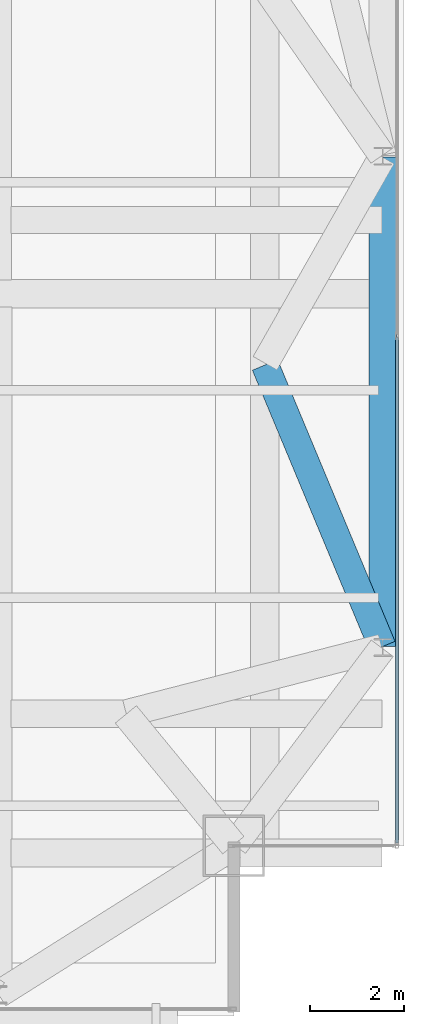
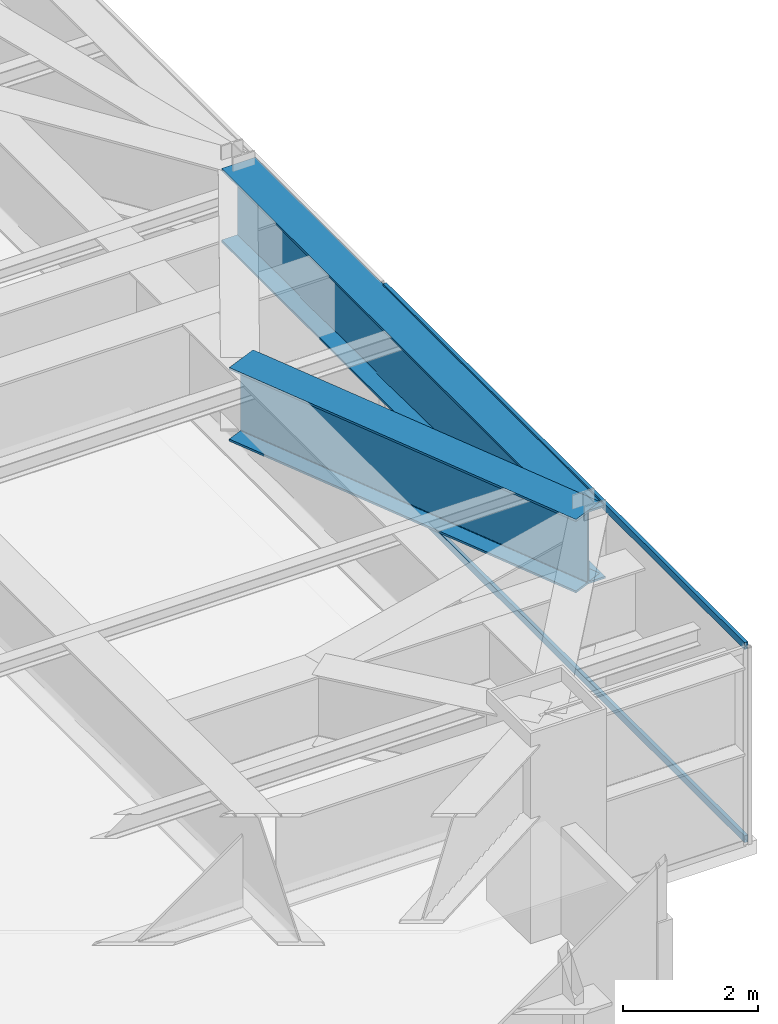
# One storey, part 16 of 26: 2 beams, 2 members, 1 element without a shape of its own.
"""IFC4 building model written with IfcOpenShell, lengths in metres."""

from ifc_helpers import new_model, si_unit, direction, frame, origin, origin_2d, place, context, subcontext, project, spatial, hollow_rectangle, i_section, extrude, source, transform, mapped, material, layer, layer_set, material_profile, profile_set, type_object, type_shapes, element, aggregate, save


model = new_model("IFC4")

# Units and contexts
model_context = context("Model", 3, precision=1e-05, world=origin(), true_north=direction((0.0, 1.0)))
body_context = subcontext(model_context, "Body", "Model", "MODEL_VIEW")
ifc_project = project(units=[si_unit("LENGTHUNIT", "METRE"), si_unit("AREAUNIT", "SQUARE_METRE"), si_unit("VOLUMEUNIT", "CUBIC_METRE"), si_unit("PLANEANGLEUNIT", "RADIAN"), si_unit("MASSUNIT", "GRAM", prefix="KILO")], contexts=[model_context])

# Site, building, storey
site_placement = place(None, origin())
site = spatial("IfcSite", under=ifc_project, at=site_placement, CompositionType="ELEMENT")
building_placement = place(site_placement, origin())
building = spatial("IfcBuilding", under=site, at=building_placement, Name="Varnel Quay Broadcast Tower", CompositionType="ELEMENT")
storey_placement = place(building_placement, frame((0.0, 0.0, 196.0)))
storey = spatial("IfcBuildingStorey", under=building, at=storey_placement, Name="L48", CompositionType="ELEMENT", Elevation=196.0)

# Beams
ifc_material_1 = material(Name="Structural Steel CSA G40.21 350WT", Category="steel")
ifc_material_profile_1 = material_profile(ifc_material_1, i_section(OverallWidth=0.580078125, OverallDepth=1.330078125, WebThickness=0.02197265625, FlangeThickness=0.0380859375, FilletRadius=0.02001953125, at=origin_2d()), Name="WWF1330X535")
ifc_profile_set_1 = profile_set([ifc_material_profile_1], Name="Structural Steel CSA G40.21 350WT")
beam_type = type_object("IfcBeamType", Name="Girder_WWF1330X535", PredefinedType="BEAM", material=ifc_profile_set_1)
shared_shape_1 = source(origin(), body_context, "Body", "SweptSolid", [
    extrude(i_section(OverallWidth=0.580078125, OverallDepth=1.330078125, WebThickness=0.02197265625, FlangeThickness=0.0380859375, FilletRadius=0.02001953125, at=origin_2d()), origin(), (0.0, 0.0, 1.0), 10.35986328125),
])
beam_1_placement = place(storey_placement, frame((60.550048828125, 15.02001953125, 2.885009765625), z_axis=(0.0, 1.0, 0.0), x_axis=(-1.0, 0.0, 0.0)))
element("IfcBeam", 1, at=beam_1_placement, inside=storey, type_object=beam_type, Name="L48 East Transfer Spine TC-E1-TC-E2", PredefinedType="BEAM", context=body_context, shape_type="MappedRepresentation", body=[
    mapped(shared_shape_1, transform((0.0, 0.0, 0.0), x_axis=(1.0, 0.0, 0.0), y_axis=(0.0, 1.0, 0.0), z_axis=(0.0, 0.0, 1.0), scale=1.0)),
])
shared_shape_2 = source(origin(), body_context, "Body", "SweptSolid", [
    extrude(i_section(OverallWidth=0.580078125, OverallDepth=1.330078125, WebThickness=0.02197265625, FlangeThickness=0.0380859375, FilletRadius=0.02001953125, at=origin_2d()), origin(), (0.0, 0.0, 1.0), 6.459716796875),
])
type_shapes(beam_type, [shared_shape_1, shared_shape_2])
beam_2_placement = place(storey_placement, frame((60.542236328125, 15.0185546875, 2.885009765625), z_axis=(-0.384626118884, 0.923072450392, 0.0), x_axis=(-0.923072450392, -0.384626118884, 0.0)))
element("IfcBeam", 2, at=beam_2_placement, inside=storey, type_object=beam_type, Name="L48 Nodal Transfer Tie TC-E1-TC-E1", PredefinedType="BEAM", context=body_context, shape_type="MappedRepresentation", body=[
    mapped(shared_shape_2, transform((0.0, 0.0, 0.0), x_axis=(1.0, 0.0, 0.0), y_axis=(0.0, 1.0, 0.0), z_axis=(0.0, 0.0, 1.0), scale=1.0)),
])

# Curtain wall, members
ifc_material_2 = material(Name="Anodised Bronze Aluminium 6063-T6", Category="aluminium")
ifc_layer = layer(ifc_material_2, 0.18994140625, Name="Anodised Bronze Aluminium 6063-T6")
ifc_layer_set = layer_set([ifc_layer], Name="Anodised Bronze Aluminium 6063-T6")
curtain_wall_type = type_object("IfcCurtainWallType", Name="CW_UpperTower", PredefinedType="NOTDEFINED", material=ifc_layer_set)
curtain_wall_placement = place(storey_placement, origin())
curtain_wall = element("IfcCurtainWall", 3, at=curtain_wall_placement, inside=storey, type_object=curtain_wall_type, Name="L48 East Unitised Curtain Wall", PredefinedType="NOTDEFINED")
ifc_material_profile_2 = material_profile(ifc_material_2, hollow_rectangle(XDim=0.06005859375, YDim=0.125, WallThickness=0.0029296875, at=origin_2d()), Name="ALU60X125X3")
ifc_profile_set_2 = profile_set([ifc_material_profile_2], Name="Anodised Bronze Aluminium 6063-T6")
member_type = type_object("IfcMemberType", Name="Tran_CWS-03", PredefinedType="USERDEFINED", material=ifc_profile_set_2)
shared_shape_3 = source(origin(), body_context, "Body", "SweptSolid", [
    extrude(hollow_rectangle(XDim=0.06005859375, YDim=0.125, WallThickness=0.0029296875, at=origin_2d()), origin(), (0.0, 0.0, 1.0), 10.702392578125),
])
type_shapes(member_type, [shared_shape_3])
member_1_placement = place(storey_placement, frame((60.85009765625, 10.864990234375, 0.030029296875), z_axis=(0.0, 1.0, 0.0), x_axis=(-1.0, 0.0, 0.0)))
member_1 = element("IfcMember", 4, at=member_1_placement, type_object=member_type, Name="CWS-03 transom 1.1", ObjectType="TRANSOM", PredefinedType="USERDEFINED", context=body_context, shape_type="MappedRepresentation", body=[
    mapped(shared_shape_3, transform((0.0, 0.0, 0.0), x_axis=(1.0, 0.0, 0.0), y_axis=(0.0, 1.0, 0.0), z_axis=(0.0, 0.0, 1.0), scale=1.0)),
])
member_2_placement = place(storey_placement, frame((60.85009765625, 10.864990234375, 3.52001953125), z_axis=(0.0, 1.0, 0.0), x_axis=(-1.0, 0.0, 0.0)))
member_2 = element("IfcMember", 5, at=member_2_placement, type_object=member_type, Name="CWS-03 transom 1.2", ObjectType="TRANSOM", PredefinedType="USERDEFINED", context=body_context, shape_type="MappedRepresentation", body=[
    mapped(shared_shape_3, transform((0.0, 0.0, 0.0), x_axis=(1.0, 0.0, 0.0), y_axis=(0.0, 1.0, 0.0), z_axis=(0.0, 0.0, 1.0), scale=1.0)),
])
aggregate(curtain_wall, [member_1, member_2])

save(model, "model.ifc")
